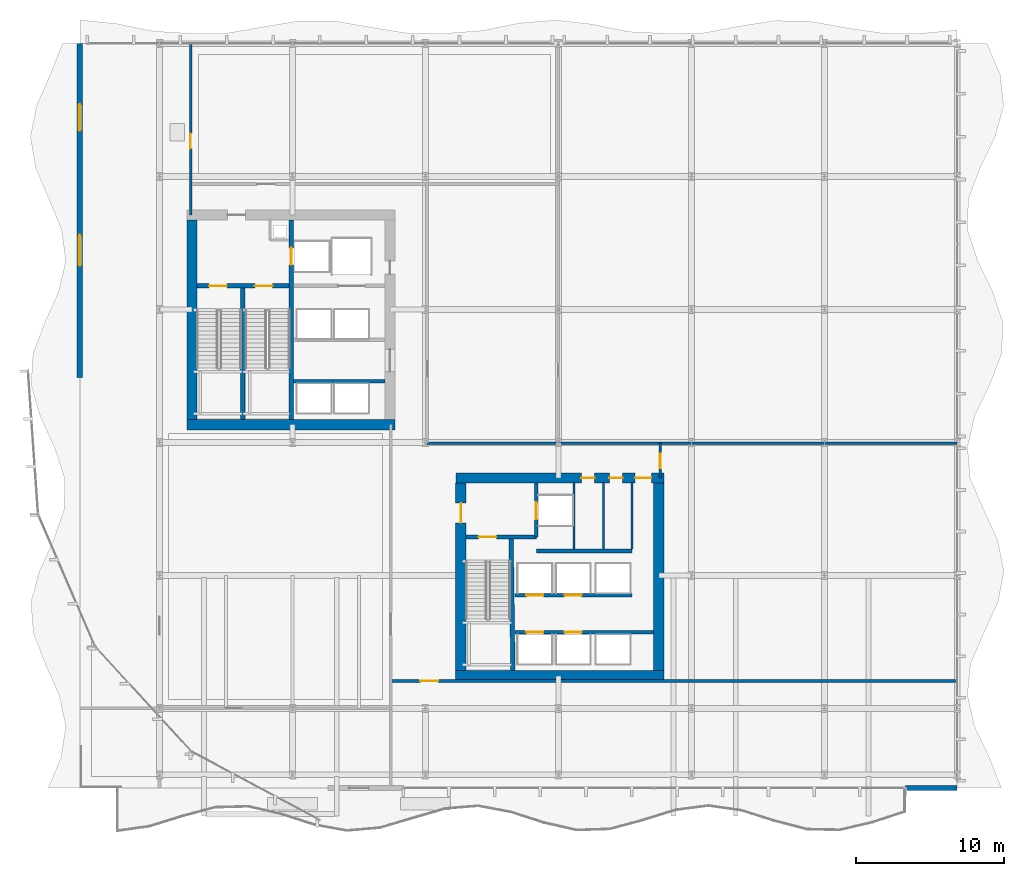
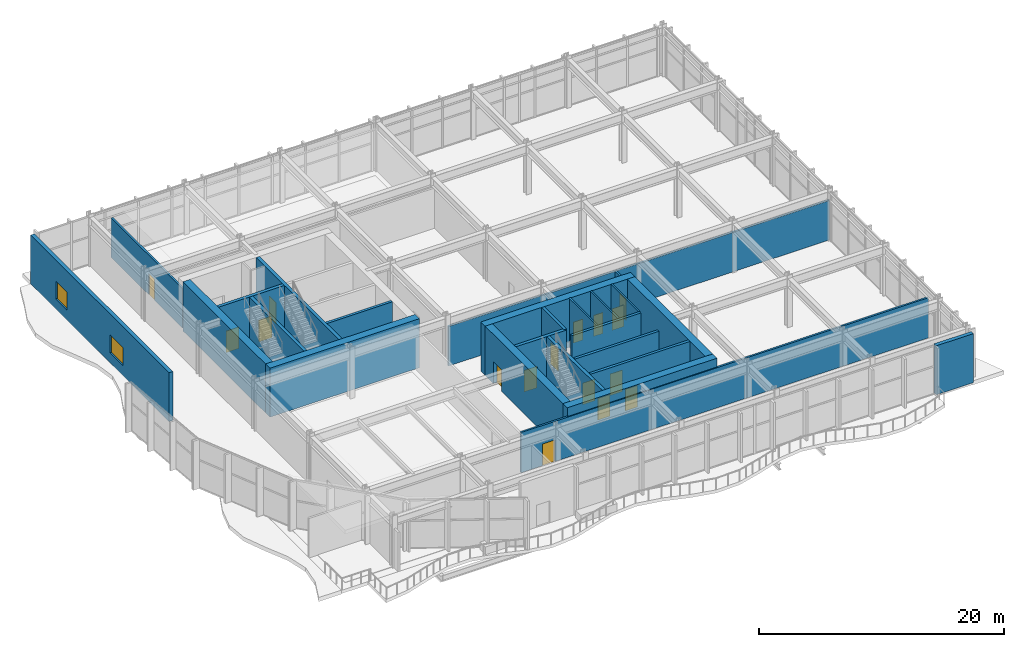
# One storey, part 23 of 31: 25 walls, 16 doors, 2 windows, 18 openings.
"""IFC4 building model written with IfcOpenShell, lengths in metres."""

import ifcopenshell
import ifcopenshell.guid

model = None  # the IFC model being written
_history = None  # IfcOwnerHistory: only IFC2X3 demands one
_inside = {}  # id of a spatial element -> (the spatial element, [elements in it])
_under = {}  # id of a project, library or spatial element -> (it, [spatial elements below it])
_declared = {}  # id of a project -> (the project, [libraries it declares])
_typed = {}  # id of a type object -> (the type object, [elements of that type])
_made_of = {}  # id of a material, layer set ... -> (it, [elements and type objects made of it])


def new_model(schema):
    """Start an empty IFC model of exactly this schema.

    Asked for "IFC4X3", IfcOpenShell would pick the latest addendum, in which some entities
    have other attributes; the version numbers below select the first issue.
    IFC2X3 requires an IfcOwnerHistory on every rooted entity: one is made here for all.
    """
    global model, _history
    if schema == "IFC4X3":
        model = ifcopenshell.file(schema_version=(4, 3, 0, 0))
    else:
        model = ifcopenshell.file(schema=schema)
    _inside.clear()
    _under.clear()
    _declared.clear()
    _typed.clear()
    _made_of.clear()
    _history = None
    if model.schema == "IFC2X3":
        org = make("IfcOrganization", Name="unknown")
        user = make(
            "IfcPersonAndOrganization",
            ThePerson=make("IfcPerson", FamilyName="unknown"),
            TheOrganization=org,
        )
        app = make(
            "IfcApplication",
            ApplicationDeveloper=org,
            Version="unknown",
            ApplicationFullName="unknown",
            ApplicationIdentifier="unknown",
        )
        _history = make(
            "IfcOwnerHistory",
            OwningUser=user,
            OwningApplication=app,
            ChangeAction="ADDED",
            CreationDate=0,
        )
    return model


def make(cls, **values):
    """One entity of the class cls with the attributes given. An attribute that is None is left unset."""
    return model.create_entity(
        cls, **{name: value for name, value in values.items() if value is not None}
    )


def rooted(cls, **values):
    """An entity with a GlobalId (a new one), such as an element, a storey or a relation."""
    return make(cls, GlobalId=ifcopenshell.guid.new(), OwnerHistory=_history, **values)


def si_unit(unit_type, name, prefix=None):
    """IfcSIUnit, for example si_unit("LENGTHUNIT", "METRE", prefix="MILLI")."""
    return make("IfcSIUnit", UnitType=unit_type, Prefix=prefix, Name=name)


def assignment(units):
    """IfcUnitAssignment: the units of a project."""
    return None if units is None else make("IfcUnitAssignment", Units=units)


def point(xyz):
    """IfcCartesianPoint."""
    return None if xyz is None else make("IfcCartesianPoint", Coordinates=xyz)


def direction(xyz):
    """IfcDirection."""
    return None if xyz is None else make("IfcDirection", DirectionRatios=xyz)


def frame(location, z_axis=None, x_axis=None):
    """IfcAxis2Placement3D, a coordinate frame: its origin and axes. An axis left out is left unset."""
    return make(
        "IfcAxis2Placement3D",
        Location=point(location),
        Axis=direction(z_axis),
        RefDirection=direction(x_axis),
    )


def frame_2d(location, x_axis=None):
    """IfcAxis2Placement2D, a coordinate frame in the plane: its origin and x axis."""
    return make(
        "IfcAxis2Placement2D", Location=point(location), RefDirection=direction(x_axis)
    )


def origin():
    """The frame at (0, 0, 0) with its axes left unset."""
    return frame((0.0, 0.0, 0.0))


def place(relative_to, where):
    """IfcLocalPlacement: puts the frame where relative to a parent placement (None: the world)."""
    return make(
        "IfcLocalPlacement", PlacementRelTo=relative_to, RelativePlacement=where
    )


def context(
    kind, dimensions, precision=None, world=None, true_north=None, identifier=None
):
    """IfcGeometricRepresentationContext, for example the 3D "Model" context."""
    return make(
        "IfcGeometricRepresentationContext",
        ContextIdentifier=identifier,
        ContextType=kind,
        CoordinateSpaceDimension=dimensions,
        Precision=precision,
        WorldCoordinateSystem=world,
        TrueNorth=true_north,
    )


def subcontext(parent, identifier, kind, view, scale=None):
    """IfcGeometricRepresentationSubContext, for example "Body" below "Model"."""
    return make(
        "IfcGeometricRepresentationSubContext",
        ContextIdentifier=identifier,
        ContextType=kind,
        ParentContext=parent,
        TargetScale=scale,
        TargetView=view,
    )


def project(units=None, contexts=None):
    """IfcProject with its units and contexts."""
    return rooted(
        "IfcProject",
        Name="project",
        RepresentationContexts=contexts,
        UnitsInContext=assignment(units),
    )


def spatial(cls, under=None, at=None, **own):
    """A site, building, storey or space (cls), placed at a placement, below another one or the project."""
    s = rooted(cls, ObjectPlacement=at, **own)
    if under is not None:
        _under.setdefault(under.id(), (under, []))[1].append(s)
    return s


def profile(cls, at=None, kind="AREA", **sizes):
    """A parametric profile (cls). Its sizes go by their IFC names, for example OverallWidth=200.0."""
    return make(cls, ProfileType=kind, Position=at, **sizes)


def rectangle(**sizes):
    """IfcRectangleProfileDef."""
    return profile("IfcRectangleProfileDef", **sizes)


def extrude(swept, where, along, depth):
    """IfcExtrudedAreaSolid: the profile swept, set in the frame where, extruded along a direction by depth."""
    return make(
        "IfcExtrudedAreaSolid",
        SweptArea=swept,
        Position=where,
        ExtrudedDirection=direction(along),
        Depth=depth,
    )


def shape(context_of_items, identifier, shape_type, items):
    """IfcShapeRepresentation: the items that make up one representation, for example the "Body"."""
    return make(
        "IfcShapeRepresentation",
        ContextOfItems=context_of_items,
        RepresentationIdentifier=identifier,
        RepresentationType=shape_type,
        Items=items,
    )


def material(Name=None, Category=None):
    """IfcMaterial."""
    return make("IfcMaterial", Name=Name, Category=Category)


def layer(
    of_material, thickness, ventilated=None, Name=None, Category=None, Priority=None
):
    """IfcMaterialLayer: one layer of a wall or slab, of a material (None: an air gap)."""
    return make(
        "IfcMaterialLayer",
        Material=of_material,
        LayerThickness=thickness,
        IsVentilated=ventilated,
        Name=Name,
        Category=Category,
        Priority=Priority,
    )


def layer_set(layers, Name=None):
    """IfcMaterialLayerSet."""
    return make("IfcMaterialLayerSet", MaterialLayers=layers, LayerSetName=Name)


def made_of(thing, what):
    """Note that an element or type object is made of a material, layer set ...; save() writes the relation."""
    if what is not None:
        _made_of.setdefault(what.id(), (what, []))[1].append(thing)
    return thing


def type_object(cls, material=None, **own):
    """A type object (cls), such as IfcWallType, which elements share."""
    return made_of(rooted(cls, **own), material)


def element(
    cls,
    number,
    at=None,
    inside=None,
    cuts=None,
    type_object=None,
    material=None,
    context=None,
    identifier="Body",
    shape_type=None,
    held_by="IfcProductDefinitionShape",
    body=None,
    shapes=None,
    **own,
):
    """One element of the class cls, such as IfcWall. Its Tag is "e" and its number.

    at: its placement. inside: the storey or other place that contains it. cuts: it is an
    opening in that element (IfcRelVoidsElement). A single representation is given by context,
    identifier, shape_type and body (its items); several are given by shapes. held_by: the class
    of the entity that holds the representations. save() writes the other relations.
    """
    e = rooted(cls, Tag="e%d" % number, ObjectPlacement=at, **own)
    if body is not None:
        shapes = [shape(context, identifier, shape_type, body)]
    if shapes is not None:
        e.Representation = make(held_by, Representations=shapes)
    if inside is not None:
        _inside.setdefault(inside.id(), (inside, []))[1].append(e)
    if cuts is not None:
        rooted(
            "IfcRelVoidsElement", RelatingBuildingElement=cuts, RelatedOpeningElement=e
        )
    if type_object is not None:
        _typed.setdefault(type_object.id(), (type_object, []))[1].append(e)
    return made_of(e, material)


def fill(opening, filler):
    """IfcRelFillsElement: the door or window that sits in an opening."""
    return rooted(
        "IfcRelFillsElement",
        RelatingOpeningElement=opening,
        RelatedBuildingElement=filler,
    )


def aggregate(whole, parts):
    """IfcRelAggregates: a whole, such as a stair, and the parts it consists of."""
    return rooted("IfcRelAggregates", RelatingObject=whole, RelatedObjects=parts)


def save(model, path):
    """Write the relations noted so far, then the file.

    IfcRelAggregates (storeys below a building ...), IfcRelContainedInSpatialStructure (elements
    in a storey), IfcRelDefinesByType, IfcRelAssociatesMaterial and IfcRelDeclares: one each for
    every whole, place, type object, material and project.
    """
    for whole, parts in _under.values():
        aggregate(whole, parts)
    for where, things in _inside.values():
        rooted(
            "IfcRelContainedInSpatialStructure",
            RelatedElements=things,
            RelatingStructure=where,
        )
    for kind, things in _typed.values():
        rooted("IfcRelDefinesByType", RelatedObjects=things, RelatingType=kind)
    for what, things in _made_of.values():
        rooted("IfcRelAssociatesMaterial", RelatedObjects=things, RelatingMaterial=what)
    for by, libraries in _declared.values():
        rooted("IfcRelDeclares", RelatingContext=by, RelatedDefinitions=libraries)
    model.write(path)


model = new_model("IFC4")

# Units and contexts
model_context = context("Model", 3, precision=1e-05, world=origin(), true_north=direction((0.0, 1.0)))
body_context = subcontext(model_context, "Body", "Model", "MODEL_VIEW")
ifc_project = project(units=[si_unit("LENGTHUNIT", "METRE"), si_unit("AREAUNIT", "SQUARE_METRE"), si_unit("VOLUMEUNIT", "CUBIC_METRE"), si_unit("PLANEANGLEUNIT", "RADIAN"), si_unit("MASSUNIT", "GRAM", prefix="KILO")], contexts=[model_context])

# Site, building, storey
site_placement = place(None, origin())
site = spatial("IfcSite", under=ifc_project, at=site_placement, CompositionType="ELEMENT")
building_placement = place(site_placement, origin())
building = spatial("IfcBuilding", under=site, at=building_placement, Name="Solvaryn Broadcast Tower", CompositionType="ELEMENT")
storey_placement = place(building_placement, frame((0.0, 0.0, 11.0)))
storey = spatial("IfcBuildingStorey", under=building, at=storey_placement, Name="L02", CompositionType="ELEMENT", Elevation=11.0)

# Walls
ifc_material_1 = material(Name="Concrete f'c 70 MPa", Category="concrete")
ifc_layer_1 = layer(ifc_material_1, 0.699951171875)
ifc_layer_set_1 = layer_set([ifc_layer_1], Name="CW-SHEAR-700")
wall_type_1 = type_object("IfcWallType", Name="CW-SHEAR-700", PredefinedType="SHEAR", material=ifc_layer_set_1)
wall_1_placement = place(storey_placement, frame((10.85009765625, 28.199951171875, 0.0), z_axis=(0.0, 0.0, 1.0), x_axis=(1.0, 0.0, 0.0)))
element("IfcWall", 1, at=wall_1_placement, inside=storey, type_object=wall_type_1, Name="L02 West Core South Shear Wall", PredefinedType="SHEAR", context=body_context, shape_type="SweptSolid", body=[
    extrude(rectangle(XDim=14.099853515625, YDim=0.699951171875, at=frame_2d((7.0498046875, 0.0))), origin(), (0.0, 0.0, 1.0), 4.8798828125),
])
wall_2_placement = place(storey_placement, frame((11.199951171875, 42.050048828125, 0.0), z_axis=(0.0, 0.0, 1.0), x_axis=(0.0, -1.0, 0.0)))
element("IfcWall", 2, at=wall_2_placement, inside=storey, type_object=wall_type_1, Name="L02 West Core West Shear Wall", PredefinedType="SHEAR", context=body_context, shape_type="SweptSolid", body=[
    extrude(rectangle(XDim=13.5, YDim=0.699951171875, at=frame_2d((6.75, 0.0))), origin(), (0.0, 0.0, 1.0), 4.8798828125),
])
wall_3_placement = place(storey_placement, frame((29.050048828125, 11.199951171875, 0.0), z_axis=(0.0, 0.0, 1.0), x_axis=(1.0, 0.0, 0.0)))
element("IfcWall", 3, at=wall_3_placement, inside=storey, type_object=wall_type_1, Name="L02 East Core South Shear Wall", PredefinedType="SHEAR", context=body_context, shape_type="SweptSolid", body=[
    extrude(rectangle(XDim=14.099853515625, YDim=0.699951171875, at=frame_2d((7.0498046875, 0.0))), origin(), (0.0, 0.0, 1.0), 4.8798828125),
])

# Wall, openings, doors
wall_4_placement = place(storey_placement, frame((43.14990234375, 24.60009765625, 0.0), z_axis=(0.0, 0.0, 1.0), x_axis=(-1.0, 0.0, 0.0)))
wall_4 = element("IfcWall", 4, at=wall_4_placement, inside=storey, type_object=wall_type_1, Name="L02 East Core North Shear Wall", PredefinedType="SHEAR", context=body_context, shape_type="SweptSolid", body=[
    extrude(rectangle(XDim=14.099853515625, YDim=0.699951171875, at=frame_2d((7.0498046875, 0.0))), origin(), (0.0, 0.0, 1.0), 4.8798828125),
])
opening_1_placement = place(wall_4_placement, frame((0.85009765625, 0.0, 0.0)))
opening_1 = element("IfcOpeningElement", 5, at=opening_1_placement, cuts=wall_4, Name="Opening FD90C", PredefinedType="OPENING", context=body_context, shape_type="SweptSolid", body=[
    extrude(rectangle(XDim=1.10009765625, YDim=2.14990234375, at=frame_2d((0.550048828125, 1.074951171875))), frame((0.0, 0.360107421875, 0.0), z_axis=(0.0, -1.0, 0.0), x_axis=(1.0, 0.0, 0.0)), (0.0, 0.0, 1.0), 0.719970703125),
])
opening_2_placement = place(wall_4_placement, frame((2.800048828125, 0.0, 0.0)))
opening_2 = element("IfcOpeningElement", 6, at=opening_2_placement, cuts=wall_4, Name="Opening FD60C", PredefinedType="OPENING", context=body_context, shape_type="SweptSolid", body=[
    extrude(rectangle(XDim=0.89990234375, YDim=2.10009765625, at=frame_2d((0.449951171875, 1.050048828125))), frame((0.0, 0.360107421875, 0.0), z_axis=(0.0, -1.0, 0.0), x_axis=(1.0, 0.0, 0.0)), (0.0, 0.0, 1.0), 0.719970703125),
])
opening_3_placement = place(wall_4_placement, frame((4.699951171875, 0.0, 0.0)))
opening_3 = element("IfcOpeningElement", 7, at=opening_3_placement, cuts=wall_4, Name="Opening FD60C", PredefinedType="OPENING", context=body_context, shape_type="SweptSolid", body=[
    extrude(rectangle(XDim=0.89990234375, YDim=2.10009765625, at=frame_2d((0.449951171875, 1.050048828125))), frame((0.0, 0.360107421875, 0.0), z_axis=(0.0, -1.0, 0.0), x_axis=(1.0, 0.0, 0.0)), (0.0, 0.0, 1.0), 0.719970703125),
])
ifc_material_2 = material(Name="Flush Acoustic Steel and Timber Door Assembly", Category="steel")
door_type_1 = type_object("IfcDoorType", Name="FD60-SERV-900X2100", OperationType="NOTDEFINED", PredefinedType="DOOR", material=ifc_material_2)
door_1_placement = place(opening_2_placement, origin())
door_1 = element("IfcDoor", 8, at=door_1_placement, inside=storey, type_object=door_type_1, Name="L02 Staff Restroom Door", OperationType="SINGLE_SWING_LEFT", OverallHeight=2.10009765625, OverallWidth=0.89990234375, PredefinedType="DOOR", context=body_context, shape_type="SweptSolid", body=[
    extrude(rectangle(XDim=0.89990234375, YDim=2.10009765625, at=frame_2d((0.449951171875, 1.050048828125))), frame((0.0, 0.02490234375, 0.0), z_axis=(0.0, -1.0, 0.0), x_axis=(1.0, 0.0, 0.0)), (0.0, 0.0, 1.0), 0.050048828125),
])
fill(opening_2, door_1)
door_2_placement = place(opening_3_placement, origin())
door_2 = element("IfcDoor", 9, at=door_2_placement, inside=storey, type_object=door_type_1, Name="L02 Accessible WC Door", OperationType="SINGLE_SWING_RIGHT", OverallHeight=2.10009765625, OverallWidth=0.89990234375, PredefinedType="DOOR", context=body_context, shape_type="SweptSolid", body=[
    extrude(rectangle(XDim=0.89990234375, YDim=2.10009765625, at=frame_2d((0.449951171875, 1.050048828125))), frame((0.0, 0.02490234375, 0.0), z_axis=(0.0, -1.0, 0.0), x_axis=(1.0, 0.0, 0.0)), (0.0, 0.0, 1.0), 0.050048828125),
])
fill(opening_3, door_2)
ifc_material_3 = material(Name="Flush Acoustic Steel and Timber Door Assembly", Category="steel")
door_type_2 = type_object("IfcDoorType", Name="FD90-PLANT-1100X2150", OperationType="NOTDEFINED", PredefinedType="DOOR", material=ifc_material_3)
door_3_placement = place(opening_1_placement, origin())
door_3 = element("IfcDoor", 10, at=door_3_placement, inside=storey, type_object=door_type_2, Name="L02 East Core Lobby Corridor Door", OperationType="SINGLE_SWING_LEFT", OverallHeight=2.14990234375, OverallWidth=1.10009765625, PredefinedType="DOOR", context=body_context, shape_type="SweptSolid", body=[
    extrude(rectangle(XDim=1.10009765625, YDim=2.14990234375, at=frame_2d((0.550048828125, 1.074951171875))), frame((0.0, 0.02490234375, 0.0), z_axis=(0.0, -1.0, 0.0), x_axis=(1.0, 0.0, 0.0)), (0.0, 0.0, 1.0), 0.050048828125),
])
fill(opening_1, door_3)

# Wall, opening, door
wall_5_placement = place(storey_placement, frame((29.39990234375, 24.25, 0.0), z_axis=(0.0, 0.0, 1.0), x_axis=(0.0, -1.0, 0.0)))
wall_5 = element("IfcWall", 11, at=wall_5_placement, inside=storey, type_object=wall_type_1, Name="L02 East Core West Shear Wall", PredefinedType="SHEAR", context=body_context, shape_type="SweptSolid", body=[
    extrude(rectangle(XDim=12.699951171875, YDim=0.699951171875, at=frame_2d((6.35009765625, 0.0))), origin(), (0.0, 0.0, 1.0), 4.8798828125),
])
opening_4_placement = place(wall_5_placement, frame((1.35009765625, 0.0, 0.0)))
opening_4 = element("IfcOpeningElement", 12, at=opening_4_placement, cuts=wall_5, Name="Opening FD90B", PredefinedType="OPENING", context=body_context, shape_type="SweptSolid", body=[
    extrude(rectangle(XDim=1.35009765625, YDim=2.14990234375, at=frame_2d((0.675048828125, 1.074951171875))), frame((0.0, 0.360107421875, 0.0), z_axis=(0.0, -1.0, 0.0), x_axis=(1.0, 0.0, 0.0)), (0.0, 0.0, 1.0), 0.719970703125),
])
ifc_material_4 = material(Name="Flush Acoustic Steel and Timber Door Assembly", Category="steel")
door_type_3 = type_object("IfcDoorType", Name="FD90-LOBBY-1350X2150", OperationType="NOTDEFINED", PredefinedType="DOOR", material=ifc_material_4)
door_4_placement = place(opening_4_placement, origin())
door_4 = element("IfcDoor", 13, at=door_4_placement, inside=storey, type_object=door_type_3, Name="L02 East FSAE Lobby Door", OperationType="SINGLE_SWING_RIGHT", OverallHeight=2.14990234375, OverallWidth=1.35009765625, PredefinedType="DOOR", context=body_context, shape_type="SweptSolid", body=[
    extrude(rectangle(XDim=1.35009765625, YDim=2.14990234375, at=frame_2d((0.675048828125, 1.074951171875))), frame((0.0, 0.02490234375, 0.0), z_axis=(0.0, -1.0, 0.0), x_axis=(1.0, 0.0, 0.0)), (0.0, 0.0, 1.0), 0.050048828125),
])
fill(opening_4, door_4)

# Walls
wall_6_placement = place(storey_placement, frame((42.800048828125, 11.550048828125, 0.0), z_axis=(0.0, 0.0, 1.0), x_axis=(0.0, 1.0, 0.0)))
element("IfcWall", 14, at=wall_6_placement, inside=storey, type_object=wall_type_1, Name="L02 East Core East Shear Wall", PredefinedType="SHEAR", context=body_context, shape_type="SweptSolid", body=[
    extrude(rectangle(XDim=12.699951171875, YDim=0.699951171875, at=frame_2d((6.35009765625, 0.0))), origin(), (0.0, 0.0, 1.0), 4.8798828125),
])
ifc_material_5 = material(Name="Concrete f'c 50 MPa", Category="concrete")
ifc_layer_2 = layer(ifc_material_5, 0.35009765625)
ifc_layer_set_2 = layer_set([ifc_layer_2], Name="EW-STUDIO-350")
wall_type_2 = type_object("IfcWallType", Name="EW-STUDIO-350", PredefinedType="SOLIDWALL", material=ifc_layer_set_2)
wall_7_placement = place(storey_placement, frame((63.0, 3.60009765625, 0.0), z_axis=(0.0, 0.0, 1.0), x_axis=(-1.0, 0.0, 0.0)))
element("IfcWall", 15, at=wall_7_placement, inside=storey, type_object=wall_type_2, Name="L02 Podium SE Corner Pier Wall", PredefinedType="SOLIDWALL", context=body_context, shape_type="SweptSolid", body=[
    extrude(rectangle(XDim=3.5, YDim=0.35009765625, at=frame_2d((1.75, 0.0))), origin(), (0.0, 0.0, 1.0), 4.8798828125),
])

# Wall, openings, windows
wall_8_placement = place(storey_placement, frame((3.60009765625, 31.39990234375, 0.0), z_axis=(0.0, 0.0, 1.0), x_axis=(0.0, 1.0, 0.0)))
wall_8 = element("IfcWall", 16, at=wall_8_placement, inside=storey, type_object=wall_type_2, Name="L02 Podium West Door & Corner Wall", PredefinedType="SOLIDWALL", context=body_context, shape_type="SweptSolid", body=[
    extrude(rectangle(XDim=22.60009765625, YDim=0.35009765625, at=frame_2d((11.300048828125, 0.0))), origin(), (0.0, 0.0, 1.0), 4.8798828125),
])
opening_5_placement = place(wall_8_placement, frame((7.550048828125, 0.0, 1.0)))
opening_5 = element("IfcOpeningElement", 17, at=opening_5_placement, cuts=wall_8, Name="Opening WN04", PredefinedType="OPENING", context=body_context, shape_type="SweptSolid", body=[
    extrude(rectangle(XDim=2.10009765625, YDim=1.800048828125, at=frame_2d((1.050048828125, 0.89990234375))), frame((0.0, 0.18505859375, 0.0), z_axis=(0.0, -1.0, 0.0), x_axis=(1.0, 0.0, 0.0)), (0.0, 0.0, 1.0), 0.3701171875),
])
opening_6_placement = place(wall_8_placement, frame((16.699951171875, 0.0, 1.0)))
opening_6 = element("IfcOpeningElement", 18, at=opening_6_placement, cuts=wall_8, Name="Opening WN03", PredefinedType="OPENING", context=body_context, shape_type="SweptSolid", body=[
    extrude(rectangle(XDim=1.800048828125, YDim=1.800048828125, at=frame_2d((0.89990234375, 0.89990234375))), frame((0.0, 0.18505859375, 0.0), z_axis=(0.0, -1.0, 0.0), x_axis=(1.0, 0.0, 0.0)), (0.0, 0.0, 1.0), 0.3701171875),
])
ifc_material_6 = material(Name="Thermally Broken Aluminium Acoustic Glazing", Category="aluminium")
window_type_1 = type_object("IfcWindowType", Name="WN-03-1800X1800", PartitioningType="SINGLE_PANEL", PredefinedType="WINDOW", material=ifc_material_6)
window_1_placement = place(opening_6_placement, origin())
window_1 = element("IfcWindow", 19, at=window_1_placement, inside=storey, type_object=window_type_1, Name="L02 West Studio Acoustic Window 2", OverallHeight=1.800048828125, OverallWidth=1.800048828125, PartitioningType="SINGLE_PANEL", PredefinedType="WINDOW", context=body_context, shape_type="SweptSolid", body=[
    extrude(rectangle(XDim=1.800048828125, YDim=1.800048828125, at=frame_2d((0.89990234375, 0.89990234375))), frame((0.0, 0.030029296875, 0.0), z_axis=(0.0, -1.0, 0.0), x_axis=(1.0, 0.0, 0.0)), (0.0, 0.0, 1.0), 0.06005859375),
])
fill(opening_6, window_1)
ifc_material_7 = material(Name="Thermally Broken Aluminium Acoustic Glazing", Category="aluminium")
window_type_2 = type_object("IfcWindowType", Name="WN-04-2100X1800", PartitioningType="SINGLE_PANEL", PredefinedType="WINDOW", material=ifc_material_7)
window_2_placement = place(opening_5_placement, origin())
window_2 = element("IfcWindow", 20, at=window_2_placement, inside=storey, type_object=window_type_2, Name="L02 West Studio Acoustic Window 1", OverallHeight=1.800048828125, OverallWidth=2.10009765625, PartitioningType="SINGLE_PANEL", PredefinedType="WINDOW", context=body_context, shape_type="SweptSolid", body=[
    extrude(rectangle(XDim=2.10009765625, YDim=1.800048828125, at=frame_2d((1.050048828125, 0.89990234375))), frame((0.0, 0.030029296875, 0.0), z_axis=(0.0, -1.0, 0.0), x_axis=(1.0, 0.0, 0.0)), (0.0, 0.0, 1.0), 0.06005859375),
])
fill(opening_5, window_2)

# Walls
ifc_material_8 = material(Name="Metal-Stud Service Core Partition")
ifc_layer_3 = layer(ifc_material_8, 0.14990234375)
ifc_layer_set_3 = layer_set([ifc_layer_3], Name="IW-PART-150")
wall_type_3 = type_object("IfcWallType", Name="IW-PART-150", PredefinedType="PARTITIONING", material=ifc_layer_set_3)
for number, where, z_axis, x_axis, name in (
    (21, (37.050048828125, 19.780029296875, 0.0), (0.0, 0.0, 1.0), (0.0, 1.0, 0.0), "L02 Interior Partition IW-L02-CE-FL2E"),
    (22, (39.050048828125, 19.780029296875, 0.0), (0.0, 0.0, 1.0), (0.0, 1.0, 0.0), "L02 Interior Partition IW-L02-CE-V1"),
    (23, (40.97998046875, 19.780029296875, 0.0), (0.0, 0.0, 1.0), (0.0, 1.0, 0.0), "L02 Interior Partition IW-L02-CE-V3"),
):
    element("IfcWall", number, at=place(storey_placement, frame(where, z_axis=z_axis, x_axis=x_axis)), inside=storey, type_object=wall_type_3, Name=name, PredefinedType="PARTITIONING", context=body_context, shape_type="SweptSolid", body=[
        extrude(rectangle(XDim=4.52001953125, YDim=0.14990234375, at=frame_2d((2.260009765625, 0.0))), origin(), (0.0, 0.0, 1.0), 4.8798828125),
    ])

# Wall, opening, door
ifc_material_9 = material(Name="Acoustic Metal-Stud Gypsum Partition")
ifc_layer_4 = layer(ifc_material_9, 0.179931640625)
ifc_layer_set_4 = layer_set([ifc_layer_4], Name="IW-PART-180")
wall_type_4 = type_object("IfcWallType", Name="IW-PART-180", PredefinedType="PARTITIONING", material=ifc_layer_set_4)
wall_9_placement = place(storey_placement, frame((24.64990234375, 10.85009765625, 0.0), z_axis=(0.0, 0.0, 1.0), x_axis=(1.0, 0.0, 0.0)))
wall_9 = element("IfcWall", 24, at=wall_9_placement, inside=storey, type_object=wall_type_4, Name="L02 Interior Partition IW-L02-PW2", PredefinedType="PARTITIONING", context=body_context, shape_type="SweptSolid", body=[
    extrude(rectangle(XDim=38.35009765625, YDim=0.179931640625, at=frame_2d((19.175048828125, 0.0))), origin(), (0.0, 0.0, 1.0), 4.0048828125),
])
opening_7_placement = place(wall_9_placement, frame((2.0, 0.0, 0.0)))
opening_7 = element("IfcOpeningElement", 25, at=opening_7_placement, cuts=wall_9, Name="Opening ID04", PredefinedType="OPENING", context=body_context, shape_type="SweptSolid", body=[
    extrude(rectangle(XDim=1.199951171875, YDim=2.14990234375, at=frame_2d((0.60009765625, 1.074951171875))), frame((0.0, 0.099853515625, 0.0), z_axis=(0.0, -1.0, 0.0), x_axis=(1.0, 0.0, 0.0)), (0.0, 0.0, 1.0), 0.199951171875),
])
ifc_material_10 = material(Name="Flush Acoustic Steel and Timber Door Assembly", Category="steel")
door_type_4 = type_object("IfcDoorType", Name="ID-04-1200X2150", OperationType="NOTDEFINED", PredefinedType="DOOR", material=ifc_material_10)
door_5_placement = place(opening_7_placement, origin())
door_5 = element("IfcDoor", 26, at=door_5_placement, inside=storey, type_object=door_type_4, Name="L02 Door DR-L02-PD2", OperationType="SINGLE_SWING_LEFT", OverallHeight=2.14990234375, OverallWidth=1.199951171875, PredefinedType="DOOR", context=body_context, shape_type="SweptSolid", body=[
    extrude(rectangle(XDim=1.199951171875, YDim=2.14990234375, at=frame_2d((0.60009765625, 1.074951171875))), frame((0.0, 0.02490234375, 0.0), z_axis=(0.0, -1.0, 0.0), x_axis=(1.0, 0.0, 0.0)), (0.0, 0.0, 1.0), 0.050048828125),
])
fill(opening_7, door_5)

wall_10_placement = place(storey_placement, frame((42.89990234375, 24.60009765625, 0.0), z_axis=(0.0, 0.0, 1.0), x_axis=(0.0, 1.0, 0.0)))
wall_10 = element("IfcWall", 27, at=wall_10_placement, inside=storey, type_object=wall_type_4, Name="L02 Interior Partition IW-L02-PW4", PredefinedType="PARTITIONING", context=body_context, shape_type="SweptSolid", body=[
    extrude(rectangle(XDim=2.349853515625, YDim=0.179931640625, at=frame_2d((1.1748046875, 0.0))), origin(), (0.0, 0.0, 1.0), 3.93310546875),
])
opening_8_placement = place(wall_10_placement, frame((0.64990234375, 0.0, 0.0)))
opening_8 = element("IfcOpeningElement", 28, at=opening_8_placement, cuts=wall_10, Name="Opening ID02", PredefinedType="OPENING", context=body_context, shape_type="SweptSolid", body=[
    extrude(rectangle(XDim=1.0, YDim=2.10009765625, at=frame_2d((0.5, 1.050048828125))), frame((0.0, 0.099853515625, 0.0), z_axis=(0.0, -1.0, 0.0), x_axis=(1.0, 0.0, 0.0)), (0.0, 0.0, 1.0), 0.199951171875),
])
ifc_material_11 = material(Name="Flush Acoustic Steel and Timber Door Assembly", Category="steel")
door_type_5 = type_object("IfcDoorType", Name="ID-02-1000X2100", OperationType="NOTDEFINED", PredefinedType="DOOR", material=ifc_material_11)
door_6_placement = place(opening_8_placement, origin())
door_6 = element("IfcDoor", 29, at=door_6_placement, inside=storey, type_object=door_type_5, Name="L02 Door DR-L02-PD3", OperationType="SINGLE_SWING_RIGHT", OverallHeight=2.10009765625, OverallWidth=1.0, PredefinedType="DOOR", context=body_context, shape_type="SweptSolid", body=[
    extrude(rectangle(XDim=1.0, YDim=2.10009765625, at=frame_2d((0.5, 1.050048828125))), frame((0.0, 0.02490234375, 0.0), z_axis=(0.0, -1.0, 0.0), x_axis=(1.0, 0.0, 0.0)), (0.0, 0.0, 1.0), 0.050048828125),
])
fill(opening_8, door_6)

# Wall
wall_11_placement = place(storey_placement, frame((27.10009765625, 26.949951171875, 0.0), z_axis=(0.0, 0.0, 1.0), x_axis=(1.0, 0.0, 0.0)))
element("IfcWall", 30, at=wall_11_placement, inside=storey, type_object=wall_type_4, Name="L02 Interior Partition IW-L02-PW5", PredefinedType="PARTITIONING", context=body_context, shape_type="SweptSolid", body=[
    extrude(rectangle(XDim=35.89990234375, YDim=0.179931640625, at=frame_2d((17.949951171875, 0.0))), origin(), (0.0, 0.0, 1.0), 3.93310546875),
])

# Wall, opening, door
wall_12_placement = place(storey_placement, frame((11.10009765625, 42.39990234375, 0.0), z_axis=(0.0, 0.0, 1.0), x_axis=(0.0, 1.0, 0.0)))
wall_12 = element("IfcWall", 31, at=wall_12_placement, inside=storey, type_object=wall_type_4, Name="L02 Interior Partition IW-L02-PW9", PredefinedType="PARTITIONING", context=body_context, shape_type="SweptSolid", body=[
    extrude(rectangle(XDim=11.60009765625, YDim=0.179931640625, at=frame_2d((5.800048828125, 0.0))), origin(), (0.0, 0.0, 1.0), 3.93310546875),
])
opening_9_placement = place(wall_12_placement, frame((4.5, 0.0, 0.0)))
opening_9 = element("IfcOpeningElement", 32, at=opening_9_placement, cuts=wall_12, Name="Opening ID02", PredefinedType="OPENING", context=body_context, shape_type="SweptSolid", body=[
    extrude(rectangle(XDim=1.0, YDim=2.10009765625, at=frame_2d((0.5, 1.050048828125))), frame((0.0, 0.099853515625, 0.0), z_axis=(0.0, -1.0, 0.0), x_axis=(1.0, 0.0, 0.0)), (0.0, 0.0, 1.0), 0.199951171875),
])
door_7_placement = place(opening_9_placement, origin())
door_7 = element("IfcDoor", 33, at=door_7_placement, inside=storey, type_object=door_type_5, Name="L02 Door DR-L02-PDN", OperationType="SINGLE_SWING_LEFT", OverallHeight=2.10009765625, OverallWidth=1.0, PredefinedType="DOOR", context=body_context, shape_type="SweptSolid", body=[
    extrude(rectangle(XDim=1.0, YDim=2.10009765625, at=frame_2d((0.5, 1.050048828125))), frame((0.0, 0.02490234375, 0.0), z_axis=(0.0, -1.0, 0.0), x_axis=(1.0, 0.0, 0.0)), (0.0, 0.0, 1.0), 0.050048828125),
])
fill(opening_9, door_7)

# Wall
ifc_material_12 = material(Name="Concrete f'c 60 MPa", Category="concrete")
ifc_layer_5 = layer(ifc_material_12, 0.25)
ifc_layer_set_5 = layer_set([ifc_layer_5], Name="SW-SHAFT-250")
wall_type_5 = type_object("IfcWallType", Name="SW-SHAFT-250", PredefinedType="PARTITIONING", material=ifc_layer_set_5)
wall_13_placement = place(storey_placement, frame((18.070068359375, 31.14990234375, 0.0), z_axis=(0.0, 0.0, 1.0), x_axis=(1.0, 0.0, 0.0)))
element("IfcWall", 34, at=wall_13_placement, inside=storey, type_object=wall_type_5, Name="L02 High-Rise Lift Bank South Wall", PredefinedType="PARTITIONING", context=body_context, shape_type="SweptSolid", body=[
    extrude(rectangle(XDim=6.179931640625, YDim=0.25, at=frame_2d((3.08984375, 0.0))), origin(), (0.0, 0.0, 1.0), 4.8798828125),
])

# Wall, opening, door
wall_14_placement = place(storey_placement, frame((34.5, 20.60009765625, 0.0), z_axis=(0.0, 0.0, 1.0), x_axis=(0.0, 1.0, 0.0)))
wall_14 = element("IfcWall", 35, at=wall_14_placement, inside=storey, type_object=wall_type_5, Name="L02 East FSAE Lobby East Wall", PredefinedType="PARTITIONING", context=body_context, shape_type="SweptSolid", body=[
    extrude(rectangle(XDim=3.64990234375, YDim=0.25, at=frame_2d((1.824951171875, 0.0))), origin(), (0.0, 0.0, 1.0), 4.8798828125),
])
opening_10_placement = place(wall_14_placement, frame((1.199951171875, 0.0, 0.0)))
opening_10 = element("IfcOpeningElement", 36, at=opening_10_placement, cuts=wall_14, Name="Opening LD01", PredefinedType="OPENING", context=body_context, shape_type="SweptSolid", body=[
    extrude(rectangle(XDim=1.14990234375, YDim=2.14990234375, at=frame_2d((0.574951171875, 1.074951171875))), frame((0.0, 0.135009765625, 0.0), z_axis=(0.0, -1.0, 0.0), x_axis=(1.0, 0.0, 0.0)), (0.0, 0.0, 1.0), 0.27001953125),
])
ifc_material_13 = material(Name="Flush Acoustic Steel and Timber Door Assembly", Category="steel")
door_type_6 = type_object("IfcDoorType", Name="LD-LIFT-1150X2150", OperationType="NOTDEFINED", PredefinedType="DOOR", material=ifc_material_13)
door_8_placement = place(opening_10_placement, origin())
door_8 = element("IfcDoor", 37, at=door_8_placement, inside=storey, type_object=door_type_6, Name="L02 FL2 Lift Landing Door", OperationType="DOUBLE_DOOR_SLIDING", OverallHeight=2.14990234375, OverallWidth=1.14990234375, PredefinedType="DOOR", context=body_context, shape_type="SweptSolid", body=[
    extrude(rectangle(XDim=1.14990234375, YDim=2.14990234375, at=frame_2d((0.574951171875, 1.074951171875))), frame((0.0, 0.02490234375, 0.0), z_axis=(0.0, -1.0, 0.0), x_axis=(1.0, 0.0, 0.0)), (0.0, 0.0, 1.0), 0.050048828125),
])
fill(opening_10, door_8)

# Wall
wall_15_placement = place(storey_placement, frame((34.5, 19.64990234375, 0.0), z_axis=(0.0, 0.0, 1.0), x_axis=(1.0, 0.0, 0.0)))
element("IfcWall", 38, at=wall_15_placement, inside=storey, type_object=wall_type_5, Name="L02 East Core Restroom South Wall", PredefinedType="PARTITIONING", context=body_context, shape_type="SweptSolid", body=[
    extrude(rectangle(XDim=6.47998046875, YDim=0.25, at=frame_2d((3.239990234375, 0.0))), origin(), (0.0, 0.0, 1.0), 4.8798828125),
])

# Wall, openings, doors
wall_16_placement = place(storey_placement, frame((33.070068359375, 14.14990234375, 0.0), z_axis=(0.0, 0.0, 1.0), x_axis=(1.0, 0.0, 0.0)))
wall_16 = element("IfcWall", 39, at=wall_16_placement, inside=storey, type_object=wall_type_5, Name="L02 East Lift Bank South Wall", PredefinedType="PARTITIONING", context=body_context, shape_type="SweptSolid", body=[
    extrude(rectangle(XDim=9.3798828125, YDim=0.25, at=frame_2d((4.68994140625, 0.0))), origin(), (0.0, 0.0, 1.0), 4.8798828125),
])
opening_11_placement = place(wall_16_placement, frame((0.7548828125, 0.0, 0.0)))
opening_11 = element("IfcOpeningElement", 40, at=opening_11_placement, cuts=wall_16, Name="Opening LD01", PredefinedType="OPENING", context=body_context, shape_type="SweptSolid", body=[
    extrude(rectangle(XDim=1.14990234375, YDim=2.14990234375, at=frame_2d((0.574951171875, 1.074951171875))), frame((0.0, 0.135009765625, 0.0), z_axis=(0.0, -1.0, 0.0), x_axis=(1.0, 0.0, 0.0)), (0.0, 0.0, 1.0), 0.27001953125),
])
opening_12_placement = place(wall_16_placement, frame((3.35498046875, 0.0, 0.0)))
opening_12 = element("IfcOpeningElement", 41, at=opening_12_placement, cuts=wall_16, Name="Opening LD01", PredefinedType="OPENING", context=body_context, shape_type="SweptSolid", body=[
    extrude(rectangle(XDim=1.14990234375, YDim=2.14990234375, at=frame_2d((0.574951171875, 1.074951171875))), frame((0.0, 0.135009765625, 0.0), z_axis=(0.0, -1.0, 0.0), x_axis=(1.0, 0.0, 0.0)), (0.0, 0.0, 1.0), 0.27001953125),
])
door_9_placement = place(opening_11_placement, origin())
door_9 = element("IfcDoor", 42, at=door_9_placement, inside=storey, type_object=door_type_6, Name="L02 PL1 Lift Landing Door", OperationType="DOUBLE_DOOR_SLIDING", OverallHeight=2.14990234375, OverallWidth=1.14990234375, PredefinedType="DOOR", context=body_context, shape_type="SweptSolid", body=[
    extrude(rectangle(XDim=1.14990234375, YDim=2.14990234375, at=frame_2d((0.574951171875, 1.074951171875))), frame((0.0, 0.02490234375, 0.0), z_axis=(0.0, -1.0, 0.0), x_axis=(1.0, 0.0, 0.0)), (0.0, 0.0, 1.0), 0.050048828125),
])
fill(opening_11, door_9)
door_10_placement = place(opening_12_placement, origin())
door_10 = element("IfcDoor", 43, at=door_10_placement, inside=storey, type_object=door_type_6, Name="L02 PL2 Lift Landing Door", OperationType="DOUBLE_DOOR_SLIDING", OverallHeight=2.14990234375, OverallWidth=1.14990234375, PredefinedType="DOOR", context=body_context, shape_type="SweptSolid", body=[
    extrude(rectangle(XDim=1.14990234375, YDim=2.14990234375, at=frame_2d((0.574951171875, 1.074951171875))), frame((0.0, 0.02490234375, 0.0), z_axis=(0.0, -1.0, 0.0), x_axis=(1.0, 0.0, 0.0)), (0.0, 0.0, 1.0), 0.050048828125),
])
fill(opening_12, door_10)

wall_17_placement = place(storey_placement, frame((40.97998046875, 16.64990234375, 0.0), z_axis=(0.0, 0.0, 1.0), x_axis=(-1.0, 0.0, 0.0)))
wall_17 = element("IfcWall", 44, at=wall_17_placement, inside=storey, type_object=wall_type_5, Name="L02 East Lift Bank North Wall", PredefinedType="PARTITIONING", context=body_context, shape_type="SweptSolid", body=[
    extrude(rectangle(XDim=7.909912109375, YDim=0.25, at=frame_2d((3.955078125, 0.0))), origin(), (0.0, 0.0, 1.0), 4.8798828125),
])
opening_13_placement = place(wall_17_placement, frame((6.0048828125, 0.0, 0.0)))
opening_13 = element("IfcOpeningElement", 45, at=opening_13_placement, cuts=wall_17, Name="Opening LD01", PredefinedType="OPENING", context=body_context, shape_type="SweptSolid", body=[
    extrude(rectangle(XDim=1.14990234375, YDim=2.14990234375, at=frame_2d((0.574951171875, 1.074951171875))), frame((0.0, 0.135009765625, 0.0), z_axis=(0.0, -1.0, 0.0), x_axis=(1.0, 0.0, 0.0)), (0.0, 0.0, 1.0), 0.27001953125),
])
opening_14_placement = place(wall_17_placement, frame((3.405029296875, 0.0, 0.0)))
opening_14 = element("IfcOpeningElement", 46, at=opening_14_placement, cuts=wall_17, Name="Opening LD01", PredefinedType="OPENING", context=body_context, shape_type="SweptSolid", body=[
    extrude(rectangle(XDim=1.14990234375, YDim=2.14990234375, at=frame_2d((0.574951171875, 1.074951171875))), frame((0.0, 0.135009765625, 0.0), z_axis=(0.0, -1.0, 0.0), x_axis=(1.0, 0.0, 0.0)), (0.0, 0.0, 1.0), 0.27001953125),
])
door_11_placement = place(opening_13_placement, origin())
door_11 = element("IfcDoor", 47, at=door_11_placement, inside=storey, type_object=door_type_6, Name="L02 PL3 Lift Landing Door", OperationType="DOUBLE_DOOR_SLIDING", OverallHeight=2.14990234375, OverallWidth=1.14990234375, PredefinedType="DOOR", context=body_context, shape_type="SweptSolid", body=[
    extrude(rectangle(XDim=1.14990234375, YDim=2.14990234375, at=frame_2d((0.574951171875, 1.074951171875))), frame((0.0, 0.02490234375, 0.0), z_axis=(0.0, -1.0, 0.0), x_axis=(1.0, 0.0, 0.0)), (0.0, 0.0, 1.0), 0.050048828125),
])
fill(opening_13, door_11)
door_12_placement = place(opening_14_placement, origin())
door_12 = element("IfcDoor", 48, at=door_12_placement, inside=storey, type_object=door_type_6, Name="L02 PL4 Lift Landing Door", OperationType="DOUBLE_DOOR_SLIDING", OverallHeight=2.14990234375, OverallWidth=1.14990234375, PredefinedType="DOOR", context=body_context, shape_type="SweptSolid", body=[
    extrude(rectangle(XDim=1.14990234375, YDim=2.14990234375, at=frame_2d((0.574951171875, 1.074951171875))), frame((0.0, 0.02490234375, 0.0), z_axis=(0.0, -1.0, 0.0), x_axis=(1.0, 0.0, 0.0)), (0.0, 0.0, 1.0), 0.050048828125),
])
fill(opening_14, door_12)

# Wall
ifc_material_14 = material(Name="Concrete f'c 70 MPa", Category="concrete")
ifc_layer_6 = layer(ifc_material_14, 0.300048828125)
ifc_layer_set_6 = layer_set([ifc_layer_6], Name="SW-SHAFT-300")
wall_type_6 = type_object("IfcWallType", Name="SW-SHAFT-300", PredefinedType="SHEAR", material=ifc_layer_set_6)
wall_18_placement = place(storey_placement, frame((14.6201171875, 28.550048828125, 0.0), z_axis=(0.0, 0.0, 1.0), x_axis=(0.0, 1.0, 0.0)))
element("IfcWall", 49, at=wall_18_placement, inside=storey, type_object=wall_type_6, Name="L02 Stair 1-2 Dividing Wall", PredefinedType="SHEAR", context=body_context, shape_type="SweptSolid", body=[
    extrude(rectangle(XDim=8.89990234375, YDim=0.300048828125, at=frame_2d((4.449951171875, 0.0))), origin(), (0.0, 0.0, 1.0), 4.8798828125),
])

# Wall, opening, door
wall_19_placement = place(storey_placement, frame((17.919921875, 42.050048828125, 0.0), z_axis=(0.0, 0.0, 1.0), x_axis=(0.0, -1.0, 0.0)))
wall_19 = element("IfcWall", 50, at=wall_19_placement, inside=storey, type_object=wall_type_6, Name="L02 West Core Stair-Lobby Shear Wall", PredefinedType="SHEAR", context=body_context, shape_type="SweptSolid", body=[
    extrude(rectangle(XDim=13.5, YDim=0.300048828125, at=frame_2d((6.75, 0.0))), origin(), (0.0, 0.0, 1.0), 4.8798828125),
])
opening_15_placement = place(wall_19_placement, frame((1.875, 0.0, 0.0)))
opening_15 = element("IfcOpeningElement", 51, at=opening_15_placement, cuts=wall_19, Name="Opening LD01", PredefinedType="OPENING", context=body_context, shape_type="SweptSolid", body=[
    extrude(rectangle(XDim=1.14990234375, YDim=2.14990234375, at=frame_2d((0.574951171875, 1.074951171875))), frame((0.0, 0.159912109375, 0.0), z_axis=(0.0, -1.0, 0.0), x_axis=(1.0, 0.0, 0.0)), (0.0, 0.0, 1.0), 0.320068359375),
])
door_13_placement = place(opening_15_placement, origin())
door_13 = element("IfcDoor", 52, at=door_13_placement, inside=storey, type_object=door_type_6, Name="L02 FL1 Lift Landing Door", OperationType="DOUBLE_DOOR_SLIDING", OverallHeight=2.14990234375, OverallWidth=1.14990234375, PredefinedType="DOOR", context=body_context, shape_type="SweptSolid", body=[
    extrude(rectangle(XDim=1.14990234375, YDim=2.14990234375, at=frame_2d((0.574951171875, 1.074951171875))), frame((0.0, 0.02490234375, 0.0), z_axis=(0.0, -1.0, 0.0), x_axis=(1.0, 0.0, 0.0)), (0.0, 0.0, 1.0), 0.050048828125),
])
fill(opening_15, door_13)

# Wall, openings, doors
wall_20_placement = place(storey_placement, frame((17.77001953125, 37.60009765625, 0.0), z_axis=(0.0, 0.0, 1.0), x_axis=(-1.0, 0.0, 0.0)))
wall_20 = element("IfcWall", 53, at=wall_20_placement, inside=storey, type_object=wall_type_6, Name="L02 West Core FSAE Lobby South Wall", PredefinedType="SHEAR", context=body_context, shape_type="SweptSolid", body=[
    extrude(rectangle(XDim=6.219970703125, YDim=0.300048828125, at=frame_2d((3.10986328125, 0.0))), origin(), (0.0, 0.0, 1.0), 4.8798828125),
])
opening_16_placement = place(wall_20_placement, frame((4.219970703125, 0.0, 0.0)))
opening_16 = element("IfcOpeningElement", 54, at=opening_16_placement, cuts=wall_20, Name="Opening FD90A", PredefinedType="OPENING", context=body_context, shape_type="SweptSolid", body=[
    extrude(rectangle(XDim=1.199951171875, YDim=2.14990234375, at=frame_2d((0.60009765625, 1.074951171875))), frame((0.0, 0.159912109375, 0.0), z_axis=(0.0, -1.0, 0.0), x_axis=(1.0, 0.0, 0.0)), (0.0, 0.0, 1.0), 0.320068359375),
])
opening_17_placement = place(wall_20_placement, frame((1.1201171875, 0.0, 0.0)))
opening_17 = element("IfcOpeningElement", 55, at=opening_17_placement, cuts=wall_20, Name="Opening FD90A", PredefinedType="OPENING", context=body_context, shape_type="SweptSolid", body=[
    extrude(rectangle(XDim=1.199951171875, YDim=2.14990234375, at=frame_2d((0.60009765625, 1.074951171875))), frame((0.0, 0.159912109375, 0.0), z_axis=(0.0, -1.0, 0.0), x_axis=(1.0, 0.0, 0.0)), (0.0, 0.0, 1.0), 0.320068359375),
])
ifc_material_15 = material(Name="Flush Acoustic Steel and Timber Door Assembly", Category="steel")
door_type_7 = type_object("IfcDoorType", Name="FD90-STAIR-1200X2150", OperationType="NOTDEFINED", PredefinedType="DOOR", material=ifc_material_15)
door_14_placement = place(opening_16_placement, origin())
door_14 = element("IfcDoor", 56, at=door_14_placement, inside=storey, type_object=door_type_7, Name="L02 Stair 1 Fire Door", OperationType="SINGLE_SWING_LEFT", OverallHeight=2.14990234375, OverallWidth=1.199951171875, PredefinedType="DOOR", context=body_context, shape_type="SweptSolid", body=[
    extrude(rectangle(XDim=1.199951171875, YDim=2.14990234375, at=frame_2d((0.60009765625, 1.074951171875))), frame((0.0, 0.02490234375, 0.0), z_axis=(0.0, -1.0, 0.0), x_axis=(1.0, 0.0, 0.0)), (0.0, 0.0, 1.0), 0.050048828125),
])
fill(opening_16, door_14)
door_15_placement = place(opening_17_placement, origin())
door_15 = element("IfcDoor", 57, at=door_15_placement, inside=storey, type_object=door_type_7, Name="L02 Stair 2 Fire Door", OperationType="SINGLE_SWING_RIGHT", OverallHeight=2.14990234375, OverallWidth=1.199951171875, PredefinedType="DOOR", context=body_context, shape_type="SweptSolid", body=[
    extrude(rectangle(XDim=1.199951171875, YDim=2.14990234375, at=frame_2d((0.60009765625, 1.074951171875))), frame((0.0, 0.02490234375, 0.0), z_axis=(0.0, -1.0, 0.0), x_axis=(1.0, 0.0, 0.0)), (0.0, 0.0, 1.0), 0.050048828125),
])
fill(opening_17, door_15)

# Wall
wall_21_placement = place(storey_placement, frame((32.919921875, 11.550048828125, 0.0), z_axis=(0.0, 0.0, 1.0), x_axis=(-0.01331804616, 0.99991131089, 0.0)))
element("IfcWall", 58, at=wall_21_placement, inside=storey, type_object=wall_type_6, Name="L02 Stair 3 East Shear Wall", PredefinedType="SHEAR", context=body_context, shape_type="SweptSolid", body=[
    extrude(rectangle(XDim=9.000732421875, YDim=0.300048828125, at=frame_2d((4.50048828125, 0.0))), origin(), (0.0, 0.0, 1.0), 4.8798828125),
])

# Wall, opening, door
wall_22_placement = place(storey_placement, frame((34.5, 20.60009765625, 0.0), z_axis=(0.0, 0.0, 1.0), x_axis=(-1.0, 0.0, 0.0)))
wall_22 = element("IfcWall", 59, at=wall_22_placement, inside=storey, type_object=wall_type_6, Name="L02 East FSAE Lobby South Wall", PredefinedType="SHEAR", context=body_context, shape_type="SweptSolid", body=[
    extrude(rectangle(XDim=4.75, YDim=0.300048828125, at=frame_2d((2.375, 0.0))), origin(), (0.0, 0.0, 1.0), 4.8798828125),
])
opening_18_placement = place(wall_22_placement, frame((2.699951171875, 0.0, 0.0)))
opening_18 = element("IfcOpeningElement", 60, at=opening_18_placement, cuts=wall_22, Name="Opening FD90A", PredefinedType="OPENING", context=body_context, shape_type="SweptSolid", body=[
    extrude(rectangle(XDim=1.199951171875, YDim=2.14990234375, at=frame_2d((0.60009765625, 1.074951171875))), frame((0.0, 0.159912109375, 0.0), z_axis=(0.0, -1.0, 0.0), x_axis=(1.0, 0.0, 0.0)), (0.0, 0.0, 1.0), 0.320068359375),
])
door_16_placement = place(opening_18_placement, origin())
door_16 = element("IfcDoor", 61, at=door_16_placement, inside=storey, type_object=door_type_7, Name="L02 Stair 3 Fire Door", OperationType="SINGLE_SWING_LEFT", OverallHeight=2.14990234375, OverallWidth=1.199951171875, PredefinedType="DOOR", context=body_context, shape_type="SweptSolid", body=[
    extrude(rectangle(XDim=1.199951171875, YDim=2.14990234375, at=frame_2d((0.60009765625, 1.074951171875))), frame((0.0, 0.02490234375, 0.0), z_axis=(0.0, -1.0, 0.0), x_axis=(1.0, 0.0, 0.0)), (0.0, 0.0, 1.0), 0.050048828125),
])
fill(opening_18, door_16)

save(model, "model.ifc")
